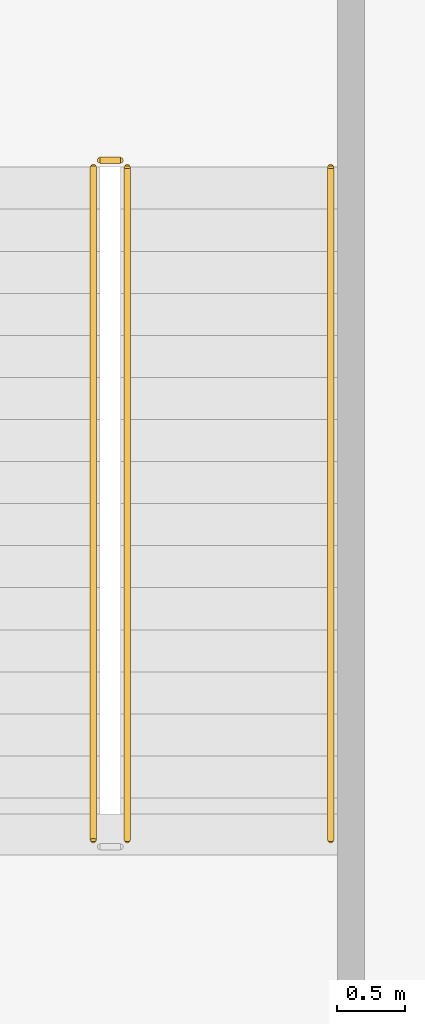
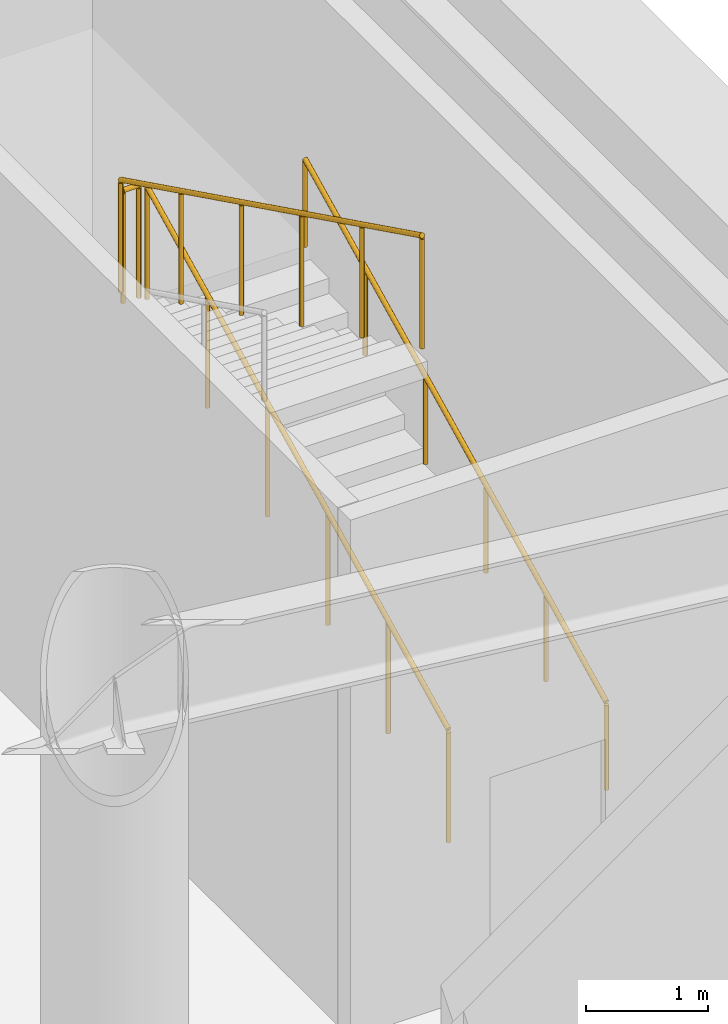
# One storey, part 9 of 9: 4 railings.
"""IFC4 building model written with IfcOpenShell, lengths in metres."""

from ifc_helpers import new_model, si_unit, direction, frame, origin, origin_2d, place, context, subcontext, project, spatial, circle, extrude, material, type_object, element, save


model = new_model("IFC4")

# Units and contexts
model_context = context("Model", 3, precision=1e-05, world=origin(), true_north=direction((0.0, 1.0)))
body_context = subcontext(model_context, "Body", "Model", "MODEL_VIEW")
ifc_project = project(units=[si_unit("LENGTHUNIT", "METRE"), si_unit("AREAUNIT", "SQUARE_METRE"), si_unit("VOLUMEUNIT", "CUBIC_METRE"), si_unit("PLANEANGLEUNIT", "RADIAN"), si_unit("MASSUNIT", "GRAM", prefix="KILO")], contexts=[model_context])

# Site, building, storey
site_placement = place(None, origin())
site = spatial("IfcSite", under=ifc_project, at=site_placement, CompositionType="ELEMENT")
building_placement = place(site_placement, origin())
building = spatial("IfcBuilding", under=site, at=building_placement, Name="Vaeldorn Concourse Tower", CompositionType="ELEMENT")
storey_placement = place(building_placement, frame((0.0, 0.0, -10.39990234375)))
storey = spatial("IfcBuildingStorey", under=building, at=storey_placement, Name="B02", CompositionType="ELEMENT", Elevation=-10.39990234375)

# Railings
ifc_material = material(Name="Anodised Bronze Aluminium", Category="aluminium")
railing_type_1 = type_object("IfcRailingType", Name="RL-STAIR-GUARD", PredefinedType="GUARDRAIL", material=ifc_material)
railing_1_placement = place(storey_placement, frame((64.699951171875, 38.449951171875, 0.15283203125)))
element("IfcRailing", 1, at=railing_1_placement, inside=storey, type_object=railing_type_1, Name="B02 ST-4 stair guard 1", PredefinedType="GUARDRAIL", context=body_context, shape_type="SweptSolid", body=[
    extrude(circle(Radius=0.02392578125, at=origin_2d()), frame((0.0, 0.0, 1.1259765625), z_axis=(0.0, 0.896798178328, 0.442439857323), x_axis=(-1.0, 0.0, 0.0)), (0.0, 0.0, 1.0), 5.53076171875),
    extrude(circle(Radius=0.02099609375, at=origin_2d()), origin(), (0.0, 0.0, 1.0), 1.101806640625),
    extrude(circle(Radius=0.02099609375, at=origin_2d()), frame((0.0, 0.991943359375, 0.489501953125)), (0.0, 0.0, 1.0), 1.101806640625),
    extrude(circle(Radius=0.02099609375, at=origin_2d()), frame((0.0, 1.98388671875, 0.978759765625)), (0.0, 0.0, 1.0), 1.101806640625),
    extrude(circle(Radius=0.02099609375, at=origin_2d()), frame((0.0, 2.97607421875, 1.46826171875)), (0.0, 0.0, 1.0), 1.101806640625),
    extrude(circle(Radius=0.02099609375, at=origin_2d()), frame((0.0, 3.968017578125, 1.95751953125)), (0.0, 0.0, 1.0), 1.101806640625),
    extrude(circle(Radius=0.02099609375, at=origin_2d()), frame((0.0, 4.9599609375, 2.447021484375)), (0.0, 0.0, 1.0), 1.101806640625),
])
railing_2_placement = place(storey_placement, frame((64.64990234375, 43.4599609375, 2.599853515625)))
element("IfcRailing", 2, at=railing_2_placement, inside=storey, type_object=railing_type_1, Name="B02 ST-4 stair guard 2", PredefinedType="GUARDRAIL", context=body_context, shape_type="SweptSolid", body=[
    extrude(circle(Radius=0.02392578125, at=origin_2d()), frame((0.0, 0.0, 1.1259765625), z_axis=(-1.0, 0.0, 0.0), x_axis=(0.0, -1.0, 0.0)), (0.0, 0.0, 1.0), 0.14990234375),
    extrude(circle(Radius=0.02099609375, at=origin_2d()), origin(), (0.0, 0.0, 1.0), 1.101806640625),
    extrude(circle(Radius=0.02099609375, at=origin_2d()), frame((-0.14990234375, 0.0, 0.0)), (0.0, 0.0, 1.0), 1.101806640625),
])
railing_3_placement = place(storey_placement, frame((64.449951171875, 43.409912109375, 2.7529296875)))
element("IfcRailing", 3, at=railing_3_placement, inside=storey, type_object=railing_type_1, Name="B02 ST-4 stair guard 3", PredefinedType="GUARDRAIL", context=body_context, shape_type="SweptSolid", body=[
    extrude(circle(Radius=0.02392578125, at=origin_2d()), frame((0.0, 0.0, 1.1259765625), z_axis=(0.0, -0.896798178328, 0.442439857323), x_axis=(1.0, 0.0, 0.0)), (0.0, 0.0, 1.0), 5.53076171875),
    extrude(circle(Radius=0.02099609375, at=origin_2d()), origin(), (0.0, 0.0, 1.0), 1.101806640625),
    extrude(circle(Radius=0.02099609375, at=origin_2d()), frame((0.0, -0.991943359375, 0.489501953125)), (0.0, 0.0, 1.0), 1.101806640625),
    extrude(circle(Radius=0.02099609375, at=origin_2d()), frame((0.0, -1.98388671875, 0.978759765625)), (0.0, 0.0, 1.0), 1.101806640625),
    extrude(circle(Radius=0.02099609375, at=origin_2d()), frame((0.0, -2.97607421875, 1.46826171875)), (0.0, 0.0, 1.0), 1.101806640625),
    extrude(circle(Radius=0.02099609375, at=origin_2d()), frame((0.0, -3.968017578125, 1.95751953125)), (0.0, 0.0, 1.0), 1.101806640625),
    extrude(circle(Radius=0.02099609375, at=origin_2d()), frame((0.0, -4.9599609375, 2.447021484375)), (0.0, 0.0, 1.0), 1.101806640625),
])
railing_type_2 = type_object("IfcRailingType", Name="RL-STAIR-HANDRAIL", PredefinedType="HANDRAIL", material=ifc_material)
railing_4_placement = place(storey_placement, frame((66.199951171875, 38.449951171875, 0.15283203125)))
element("IfcRailing", 4, at=railing_4_placement, inside=storey, type_object=railing_type_2, Name="B02 ST-4 stair handrail 1", PredefinedType="HANDRAIL", context=body_context, shape_type="SweptSolid", body=[
    extrude(circle(Radius=0.02392578125, at=origin_2d()), frame((0.0, 0.0, 0.8759765625), z_axis=(0.0, 0.896798178328, 0.442439857323), x_axis=(-1.0, 0.0, 0.0)), (0.0, 0.0, 1.0), 5.53076171875),
    extrude(circle(Radius=0.02099609375, at=origin_2d()), origin(), (0.0, 0.0, 1.0), 0.851806640625),
    extrude(circle(Radius=0.02099609375, at=origin_2d()), frame((0.0, 0.991943359375, 0.489501953125)), (0.0, 0.0, 1.0), 0.851806640625),
    extrude(circle(Radius=0.02099609375, at=origin_2d()), frame((0.0, 1.98388671875, 0.978759765625)), (0.0, 0.0, 1.0), 0.851806640625),
    extrude(circle(Radius=0.02099609375, at=origin_2d()), frame((0.0, 2.97607421875, 1.46826171875)), (0.0, 0.0, 1.0), 0.851806640625),
    extrude(circle(Radius=0.02099609375, at=origin_2d()), frame((0.0, 3.968017578125, 1.95751953125)), (0.0, 0.0, 1.0), 0.851806640625),
    extrude(circle(Radius=0.02099609375, at=origin_2d()), frame((0.0, 4.9599609375, 2.447021484375)), (0.0, 0.0, 1.0), 0.851806640625),
])

save(model, "model.ifc")
